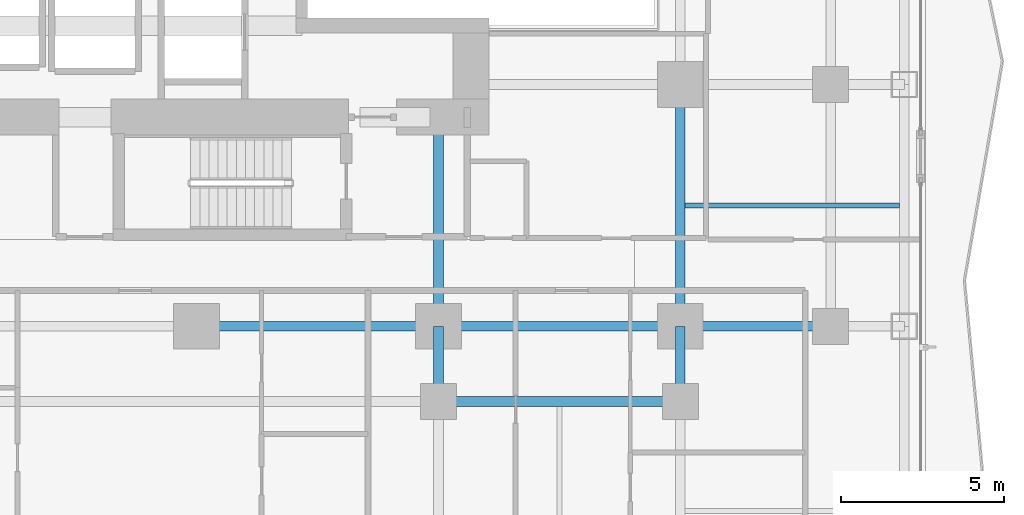
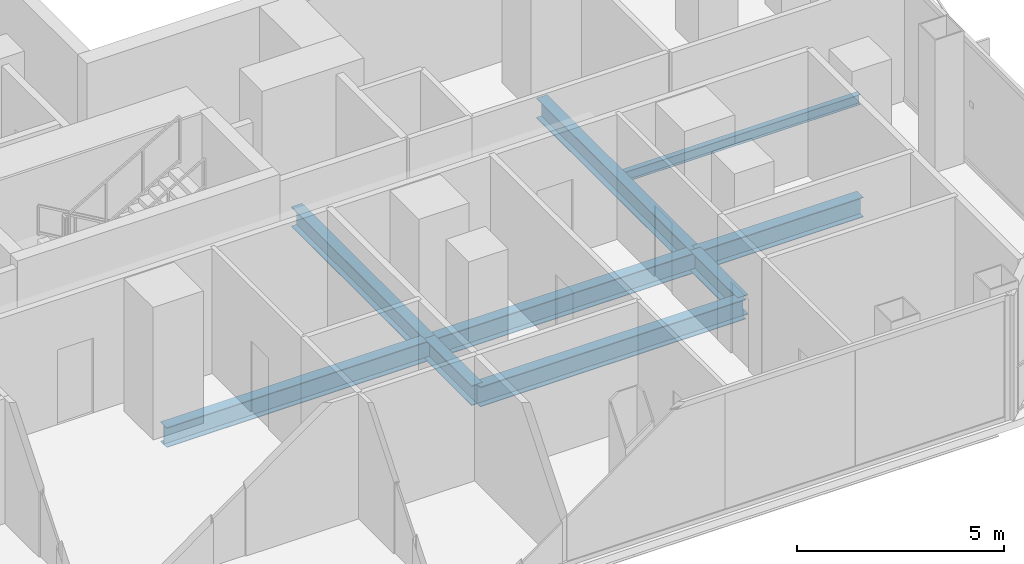
# One storey, part 9 of 30: 9 beams.
"""IFC4 building model written with IfcOpenShell, lengths in metres."""

from ifc_helpers import new_model, si_unit, direction, frame, origin, origin_2d, place, context, subcontext, project, spatial, i_section, extrude, material, material_profile, profile_set, type_object, element, save


model = new_model("IFC4")

# Units and contexts
model_context = context("Model", 3, precision=1e-05, world=origin(), true_north=direction((0.0, 1.0)))
body_context = subcontext(model_context, "Body", "Model", "MODEL_VIEW")
ifc_project = project(units=[si_unit("LENGTHUNIT", "METRE"), si_unit("AREAUNIT", "SQUARE_METRE"), si_unit("VOLUMEUNIT", "CUBIC_METRE"), si_unit("PLANEANGLEUNIT", "RADIAN"), si_unit("MASSUNIT", "GRAM", prefix="KILO")], contexts=[model_context])

# Site, building, storey
site_placement = place(None, origin())
site = spatial("IfcSite", under=ifc_project, at=site_placement, CompositionType="ELEMENT")
building_placement = place(site_placement, origin())
building = spatial("IfcBuilding", under=site, at=building_placement, Name="Khorvyn Point Tower", CompositionType="ELEMENT")
storey_placement = place(building_placement, frame((0.0, 0.0, 57.89990234375)))
storey = spatial("IfcBuildingStorey", under=building, at=storey_placement, Name="L15", CompositionType="ELEMENT", Elevation=57.89990234375)

# Beams
ifc_material = material(Name="Steel S355", Category="steel")
ifc_material_profile_1 = material_profile(ifc_material, i_section(OverallWidth=0.300048828125, OverallDepth=0.587890625, WebThickness=0.011962890625, FlangeThickness=0.02001953125, at=origin_2d()))
ifc_profile_set_1 = profile_set([ifc_material_profile_1], Name="Steel S355 H588x300x12x20")
beam_type_1 = type_object("IfcBeamType", Name="Steel S355 Beam H588x300x12x20", PredefinedType="BEAM", material=ifc_profile_set_1)
beam_1_placement = place(storey_placement, frame((0.0, -14.800048828125, -0.513916015625), z_axis=(1.0, 0.0, 0.0), x_axis=(0.0, 1.0, 0.0)))
element("IfcBeam", 1, at=beam_1_placement, inside=storey, type_object=beam_type_1, Name="Beam", PredefinedType="BEAM", context=body_context, shape_type="SweptSolid", body=[
    extrude(i_section(OverallWidth=0.300048828125, OverallDepth=0.587890625, WebThickness=0.011962890625, FlangeThickness=0.02001953125, at=origin_2d()), origin(), (0.0, 0.0, 1.0), 7.39990234375),
])
beam_2_placement = place(storey_placement, frame((7.39990234375, -14.800048828125, -0.513916015625), z_axis=(1.0, 0.0, 0.0), x_axis=(0.0, 1.0, 0.0)))
element("IfcBeam", 2, at=beam_2_placement, inside=storey, type_object=beam_type_1, Name="Beam", PredefinedType="BEAM", context=body_context, shape_type="SweptSolid", body=[
    extrude(i_section(OverallWidth=0.300048828125, OverallDepth=0.587890625, WebThickness=0.011962890625, FlangeThickness=0.02001953125, at=origin_2d()), origin(), (0.0, 0.0, 1.0), 7.400146484375),
])
beam_3_placement = place(storey_placement, frame((14.800048828125, -14.800048828125, -0.513916015625), z_axis=(1.0, 0.0, 0.0), x_axis=(0.0, 1.0, 0.0)))
element("IfcBeam", 3, at=beam_3_placement, inside=storey, type_object=beam_type_1, Name="Beam", PredefinedType="BEAM", context=body_context, shape_type="SweptSolid", body=[
    extrude(i_section(OverallWidth=0.300048828125, OverallDepth=0.587890625, WebThickness=0.011962890625, FlangeThickness=0.02001953125, at=origin_2d()), origin(), (0.0, 0.0, 1.0), 4.599853515625),
])
beam_4_placement = place(storey_placement, frame((7.39990234375, -17.10009765625, -0.513916015625), z_axis=(1.0, 0.0, 0.0), x_axis=(0.0, 1.0, 0.0)))
element("IfcBeam", 4, at=beam_4_placement, inside=storey, type_object=beam_type_1, Name="Beam", PredefinedType="BEAM", context=body_context, shape_type="SweptSolid", body=[
    extrude(i_section(OverallWidth=0.300048828125, OverallDepth=0.587890625, WebThickness=0.011962890625, FlangeThickness=0.02001953125, at=origin_2d()), origin(), (0.0, 0.0, 1.0), 7.400146484375),
])
beam_5_placement = place(storey_placement, frame((14.800048828125, -17.10009765625, -0.513916015625), z_axis=(0.0, 1.0, 0.0), x_axis=(-1.0, 0.0, 0.0)))
element("IfcBeam", 5, at=beam_5_placement, inside=storey, type_object=beam_type_1, Name="Beam", PredefinedType="BEAM", context=body_context, shape_type="SweptSolid", body=[
    extrude(i_section(OverallWidth=0.300048828125, OverallDepth=0.587890625, WebThickness=0.011962890625, FlangeThickness=0.02001953125, at=origin_2d()), origin(), (0.0, 0.0, 1.0), 2.300048828125),
])
beam_6_placement = place(storey_placement, frame((14.800048828125, -14.800048828125, -0.513916015625), z_axis=(0.0, 1.0, 0.0), x_axis=(-1.0, 0.0, 0.0)))
element("IfcBeam", 6, at=beam_6_placement, inside=storey, type_object=beam_type_1, Name="Beam", PredefinedType="BEAM", context=body_context, shape_type="SweptSolid", body=[
    extrude(i_section(OverallWidth=0.300048828125, OverallDepth=0.587890625, WebThickness=0.011962890625, FlangeThickness=0.02001953125, at=origin_2d()), origin(), (0.0, 0.0, 1.0), 7.400146484375),
])
beam_7_placement = place(storey_placement, frame((7.39990234375, -17.10009765625, -0.513916015625), z_axis=(0.0, 1.0, 0.0), x_axis=(-1.0, 0.0, 0.0)))
element("IfcBeam", 7, at=beam_7_placement, inside=storey, type_object=beam_type_1, Name="Beam", PredefinedType="BEAM", context=body_context, shape_type="SweptSolid", body=[
    extrude(i_section(OverallWidth=0.300048828125, OverallDepth=0.587890625, WebThickness=0.011962890625, FlangeThickness=0.02001953125, at=origin_2d()), origin(), (0.0, 0.0, 1.0), 2.300048828125),
])
beam_8_placement = place(storey_placement, frame((7.39990234375, -14.800048828125, -0.513916015625), z_axis=(0.0, 1.0, 0.0), x_axis=(-1.0, 0.0, 0.0)))
element("IfcBeam", 8, at=beam_8_placement, inside=storey, type_object=beam_type_1, Name="Beam", PredefinedType="BEAM", context=body_context, shape_type="SweptSolid", body=[
    extrude(i_section(OverallWidth=0.300048828125, OverallDepth=0.587890625, WebThickness=0.011962890625, FlangeThickness=0.02001953125, at=origin_2d()), origin(), (0.0, 0.0, 1.0), 6.400146484375),
])
ifc_material_profile_2 = material_profile(ifc_material, i_section(OverallWidth=0.14990234375, OverallDepth=0.300048828125, WebThickness=0.006591796875, FlangeThickness=0.009033203125, at=origin_2d()))
ifc_profile_set_2 = profile_set([ifc_material_profile_2], Name="Steel S355 H300x150x6.5x9")
beam_type_2 = type_object("IfcBeamType", Name="Steel S355 Joist H300x150x6.5x9", PredefinedType="JOIST", material=ifc_profile_set_2)
beam_9_placement = place(storey_placement, frame((14.949951171875, -11.10009765625, -0.369873046875), z_axis=(1.0, 0.0, 0.0), x_axis=(0.0, 1.0, 0.0)))
element("IfcBeam", 9, at=beam_9_placement, inside=storey, type_object=beam_type_2, Name="Beam", PredefinedType="JOIST", context=body_context, shape_type="SweptSolid", body=[
    extrude(i_section(OverallWidth=0.14990234375, OverallDepth=0.300048828125, WebThickness=0.006591796875, FlangeThickness=0.009033203125, at=origin_2d()), origin(), (0.0, 0.0, 1.0), 6.550048828125),
])

save(model, "model.ifc")
